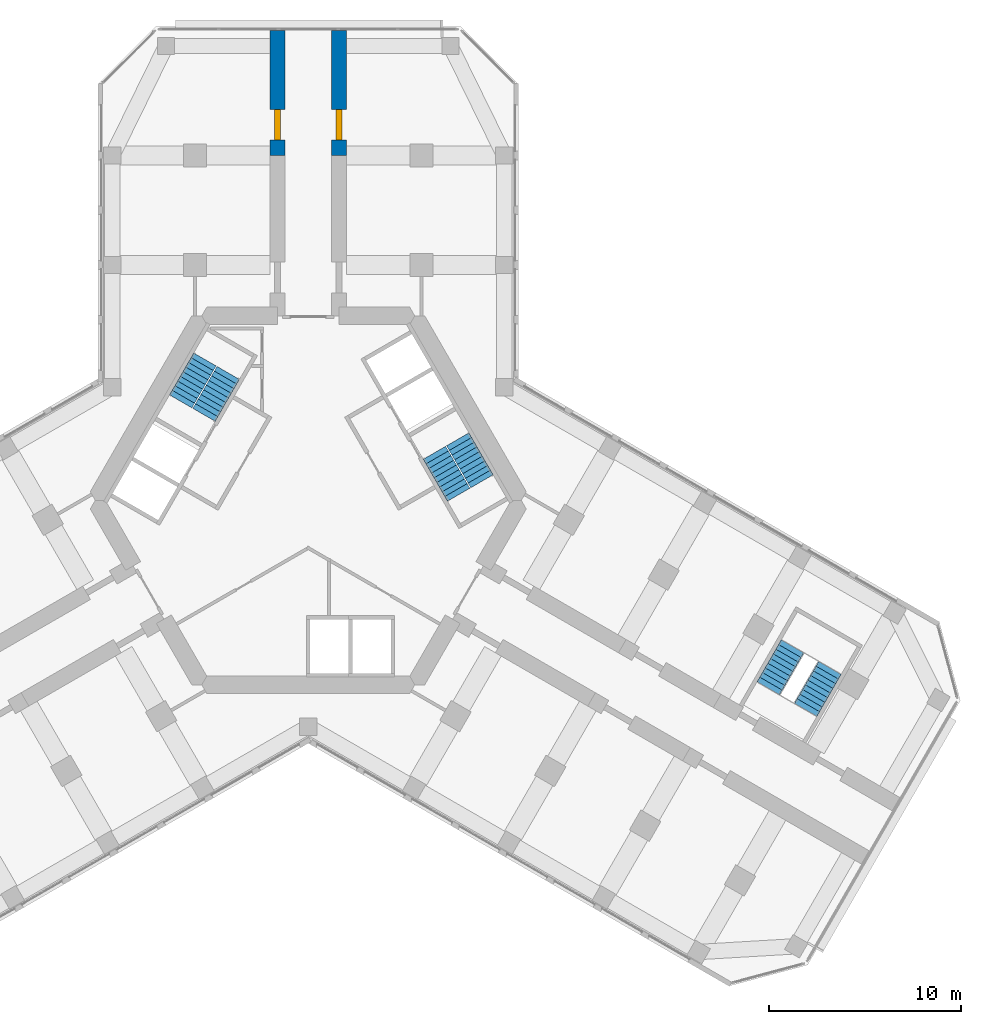
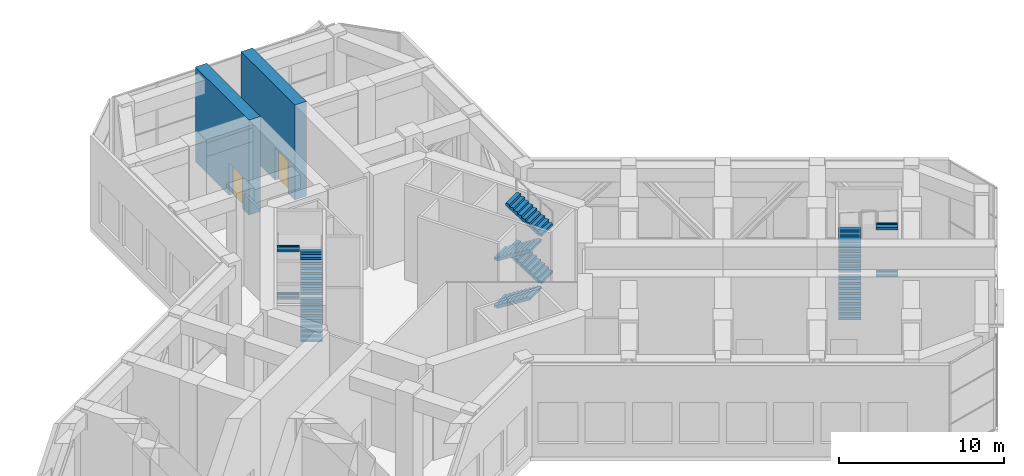
# One storey, part 14 of 15: 12 stair flights, 2 doors, 2 walls, 2 openings, 3 elements without a shape of their own.
"""IFC4 building model written with IfcOpenShell, lengths in metres."""

from ifc_helpers import new_model, si_unit, direction, frame, frame_2d, origin, place, context, subcontext, project, spatial, polyline, rectangle, outline, extrude, material, layer, layer_set, type_object, element, fill, aggregate, save


model = new_model("IFC4")

# Units and contexts
model_context = context("Model", 3, precision=1e-05, world=origin(), true_north=direction((0.0, 1.0)))
body_context = subcontext(model_context, "Body", "Model", "MODEL_VIEW")
ifc_project = project(units=[si_unit("LENGTHUNIT", "METRE"), si_unit("AREAUNIT", "SQUARE_METRE"), si_unit("VOLUMEUNIT", "CUBIC_METRE"), si_unit("PLANEANGLEUNIT", "RADIAN"), si_unit("MASSUNIT", "GRAM", prefix="KILO")], contexts=[model_context])

# Site, building, storey
site_placement = place(None, origin())
site = spatial("IfcSite", under=ifc_project, at=site_placement, CompositionType="ELEMENT")
building_placement = place(site_placement, origin())
building = spatial("IfcBuilding", under=site, at=building_placement, Name="Kosmar Iwan School Tower", CompositionType="ELEMENT")
storey_placement = place(building_placement, frame((0.0, 0.0, 186.800048828125)))
storey = spatial("IfcBuildingStorey", under=building, at=storey_placement, Name="L47", CompositionType="ELEMENT", Elevation=186.800048828125)

# Wall, opening, door
ifc_material_1 = material(Name="Concrete C50/60", Category="concrete")
ifc_layer = layer(ifc_material_1, 0.800048828125)
ifc_layer_set = layer_set([ifc_layer], Name="Corridor buttress wall 800")
wall_type = type_object("IfcWallType", Name="Corridor buttress wall 800", PredefinedType="SHEAR", material=ifc_layer_set)
wall_1_placement = place(storey_placement, frame((-1.60009765625, 17.949951171875, 0.0), z_axis=(0.0, 0.0, 1.0), x_axis=(0.0, 1.0, 0.0)))
wall_1 = element("IfcWall", 1, at=wall_1_placement, inside=storey, type_object=wall_type, Name="Corridor wall AL bay 2", PredefinedType="SHEAR", context=body_context, shape_type="SweptSolid", body=[
    extrude(rectangle(XDim=6.4951171875, YDim=0.800048828125, at=frame_2d((3.24755859375, 0.0))), origin(), (0.0, 0.0, 1.0), 7.0),
])
opening_1_placement = place(wall_1_placement, frame((0.800048828125, 0.0, 0.0)))
opening_1 = element("IfcOpeningElement", 2, at=opening_1_placement, cuts=wall_1, Name="Opening D5", PredefinedType="OPENING", context=body_context, shape_type="SweptSolid", body=[
    extrude(rectangle(XDim=1.60009765625, YDim=2.39990234375, at=frame_2d((0.800048828125, 1.199951171875))), frame((0.0, 0.412109375, 0.0), z_axis=(0.0, -1.0, 0.0), x_axis=(1.0, 0.0, 0.0)), (0.0, 0.0, 1.0), 0.823974609375),
])
ifc_material_2 = material(Name="Steel fire door", Category="steel")
door_type = type_object("IfcDoorType", Name="Plant room door pair 1600x2400", OperationType="DOUBLE_DOOR_SINGLE_SWING", PredefinedType="DOOR", material=ifc_material_2)
door_1_placement = place(opening_1_placement, origin())
door_1 = element("IfcDoor", 3, at=door_1_placement, inside=storey, type_object=door_type, Name="Air handling plant room door L47-AL2", OperationType="DOUBLE_DOOR_SINGLE_SWING", OverallHeight=2.39990234375, OverallWidth=1.60009765625, PredefinedType="DOOR", context=body_context, shape_type="SweptSolid", body=[
    extrude(rectangle(XDim=1.60009765625, YDim=2.39990234375, at=frame_2d((0.800048828125, 1.199951171875))), frame((0.0, 0.14990234375, 0.0), z_axis=(0.0, -1.0, 0.0), x_axis=(1.0, 0.0, 0.0)), (0.0, 0.0, 1.0), 0.300048828125),
])
fill(opening_1, door_1)

wall_2_placement = place(storey_placement, frame((1.60009765625, 17.949951171875, 0.0), z_axis=(0.0, 0.0, 1.0), x_axis=(0.0, 1.0, 0.0)))
wall_2 = element("IfcWall", 4, at=wall_2_placement, inside=storey, type_object=wall_type, Name="Corridor wall AR bay 2", PredefinedType="SHEAR", context=body_context, shape_type="SweptSolid", body=[
    extrude(rectangle(XDim=6.4951171875, YDim=0.800048828125, at=frame_2d((3.24755859375, 0.0))), origin(), (0.0, 0.0, 1.0), 7.0),
])
opening_2_placement = place(wall_2_placement, frame((0.800048828125, 0.0, 0.0)))
opening_2 = element("IfcOpeningElement", 5, at=opening_2_placement, cuts=wall_2, Name="Opening D5", PredefinedType="OPENING", context=body_context, shape_type="SweptSolid", body=[
    extrude(rectangle(XDim=1.60009765625, YDim=2.39990234375, at=frame_2d((0.800048828125, 1.199951171875))), frame((0.0, 0.412109375, 0.0), z_axis=(0.0, -1.0, 0.0), x_axis=(1.0, 0.0, 0.0)), (0.0, 0.0, 1.0), 0.823974609375),
])
door_2_placement = place(opening_2_placement, origin())
door_2 = element("IfcDoor", 6, at=door_2_placement, inside=storey, type_object=door_type, Name="Air handling plant room door L47-AR2", OperationType="DOUBLE_DOOR_SINGLE_SWING", OverallHeight=2.39990234375, OverallWidth=1.60009765625, PredefinedType="DOOR", context=body_context, shape_type="SweptSolid", body=[
    extrude(rectangle(XDim=1.60009765625, YDim=2.39990234375, at=frame_2d((0.800048828125, 1.199951171875))), frame((0.0, 0.14990234375, 0.0), z_axis=(0.0, -1.0, 0.0), x_axis=(1.0, 0.0, 0.0)), (0.0, 0.0, 1.0), 0.300048828125),
])
fill(opening_2, door_2)

# Stair, stair flights
ifc_material_3 = material(Name="Concrete C35/45", Category="concrete")
stair_type_1 = type_object("IfcStairType", Name="Escape stair 3600", PredefinedType="HALF_TURN_STAIR", material=ifc_material_3)
stair_1_placement = place(storey_placement, origin())
stair_1 = element("IfcStair", 7, at=stair_1_placement, inside=storey, type_object=stair_type_1, Name="Stair WS3 L47", PredefinedType="HALF_TURN_STAIR")
ifc_material_4 = material(Name="Concrete C35/45", Category="concrete")
stair_flight_type_1 = type_object("IfcStairFlightType", Name="Escape stair flight 1350", PredefinedType="STRAIGHT", material=ifc_material_4)
stair_flight_1_placement = place(storey_placement, frame((23.94189453125, -9.781494140625, 0.0), z_axis=(0.0, 0.0, 1.0), x_axis=(0.5, 0.866025403784, 0.0)))
stair_flight_1 = element("IfcStairFlight", 8, at=stair_flight_1_placement, type_object=stair_flight_type_1, Name="WS3 flight 1", NumberOfRisers=10, NumberOfTreads=9, PredefinedType="STRAIGHT", RiserHeight=0.175, TreadLength=0.28, context=body_context, shape_type="SweptSolid", body=[
    extrude(outline(polyline([(0.0, 0.0), (0.0, 0.175048828125), (0.280029296875, 0.175048828125), (0.280029296875, 0.35009765625), (0.56005859375, 0.35009765625), (0.56005859375, 0.52490234375), (0.840087890625, 0.52490234375), (0.840087890625, 0.699951171875), (1.1201171875, 0.699951171875), (1.1201171875, 0.875), (1.39990234375, 0.875), (1.39990234375, 1.050048828125), (1.679931640625, 1.050048828125), (1.679931640625, 1.22509765625), (1.9599609375, 1.22509765625), (1.9599609375, 1.39990234375), (2.239990234375, 1.39990234375), (2.239990234375, 1.574951171875), (2.52001953125, 1.574951171875), (2.52001953125, 1.75), (2.52001953125, 1.398193359375), (0.28271484375, 0.0), (0.0, 0.0)])), frame((0.0, 0.675048828125, 0.0), z_axis=(0.0, -1.0, 0.0), x_axis=(1.0, 0.0, 0.0)), (0.0, 0.0, 1.0), 1.35009765625),
])
stair_flight_2_placement = place(storey_placement, frame((27.150390625, -8.72412109375, 1.75), z_axis=(0.0, 0.0, 1.0), x_axis=(-0.5, -0.866025403784, 0.0)))
stair_flight_2 = element("IfcStairFlight", 9, at=stair_flight_2_placement, type_object=stair_flight_type_1, Name="WS3 flight 2", NumberOfRisers=10, NumberOfTreads=9, PredefinedType="STRAIGHT", RiserHeight=0.175, TreadLength=0.28, context=body_context, shape_type="SweptSolid", body=[
    extrude(outline(polyline([(0.0, 0.0), (0.0, 0.175048828125), (0.280029296875, 0.175048828125), (0.280029296875, 0.35009765625), (0.56005859375, 0.35009765625), (0.56005859375, 0.52490234375), (0.840087890625, 0.52490234375), (0.840087890625, 0.699951171875), (1.1201171875, 0.699951171875), (1.1201171875, 0.875), (1.39990234375, 0.875), (1.39990234375, 1.050048828125), (1.679931640625, 1.050048828125), (1.679931640625, 1.22509765625), (1.9599609375, 1.22509765625), (1.9599609375, 1.39990234375), (2.239990234375, 1.39990234375), (2.239990234375, 1.574951171875), (2.52001953125, 1.574951171875), (2.52001953125, 1.75), (2.52001953125, 1.398193359375), (0.28271484375, 0.0), (0.0, 0.0)])), frame((0.0, 0.675048828125, 0.0), z_axis=(0.0, -1.0, 0.0), x_axis=(1.0, 0.0, 0.0)), (0.0, 0.0, 1.0), 1.35009765625),
])
stair_flight_3_placement = place(storey_placement, frame((23.94189453125, -9.781494140625, 3.5), z_axis=(0.0, 0.0, 1.0), x_axis=(0.5, 0.866025403784, 0.0)))
stair_flight_3 = element("IfcStairFlight", 10, at=stair_flight_3_placement, type_object=stair_flight_type_1, Name="WS3 flight 3", NumberOfRisers=10, NumberOfTreads=9, PredefinedType="STRAIGHT", RiserHeight=0.175, TreadLength=0.28, context=body_context, shape_type="SweptSolid", body=[
    extrude(outline(polyline([(0.0, 0.0), (0.0, 0.175048828125), (0.280029296875, 0.175048828125), (0.280029296875, 0.35009765625), (0.56005859375, 0.35009765625), (0.56005859375, 0.52490234375), (0.840087890625, 0.52490234375), (0.840087890625, 0.699951171875), (1.1201171875, 0.699951171875), (1.1201171875, 0.875), (1.39990234375, 0.875), (1.39990234375, 1.050048828125), (1.679931640625, 1.050048828125), (1.679931640625, 1.22509765625), (1.9599609375, 1.22509765625), (1.9599609375, 1.39990234375), (2.239990234375, 1.39990234375), (2.239990234375, 1.574951171875), (2.52001953125, 1.574951171875), (2.52001953125, 1.75), (2.52001953125, 1.398193359375), (0.28271484375, 0.0), (0.0, 0.0)])), frame((0.0, 0.675048828125, 0.0), z_axis=(0.0, -1.0, 0.0), x_axis=(1.0, 0.0, 0.0)), (0.0, 0.0, 1.0), 1.35009765625),
])
stair_flight_4_placement = place(storey_placement, frame((27.150390625, -8.72412109375, 5.25), z_axis=(0.0, 0.0, 1.0), x_axis=(-0.5, -0.866025403784, 0.0)))
stair_flight_4 = element("IfcStairFlight", 11, at=stair_flight_4_placement, type_object=stair_flight_type_1, Name="WS3 flight 4", NumberOfRisers=10, NumberOfTreads=9, PredefinedType="STRAIGHT", RiserHeight=0.175, TreadLength=0.28, context=body_context, shape_type="SweptSolid", body=[
    extrude(outline(polyline([(0.0, 0.0), (0.0, 0.175048828125), (0.280029296875, 0.175048828125), (0.280029296875, 0.35009765625), (0.56005859375, 0.35009765625), (0.56005859375, 0.52490234375), (0.840087890625, 0.52490234375), (0.840087890625, 0.699951171875), (1.1201171875, 0.699951171875), (1.1201171875, 0.875), (1.39990234375, 0.875), (1.39990234375, 1.050048828125), (1.679931640625, 1.050048828125), (1.679931640625, 1.22509765625), (1.9599609375, 1.22509765625), (1.9599609375, 1.39990234375), (2.239990234375, 1.39990234375), (2.239990234375, 1.574951171875), (2.52001953125, 1.574951171875), (2.52001953125, 1.75), (2.52001953125, 1.398193359375), (0.28271484375, 0.0), (0.0, 0.0)])), frame((0.0, 0.675048828125, 0.0), z_axis=(0.0, -1.0, 0.0), x_axis=(1.0, 0.0, 0.0)), (0.0, 0.0, 1.0), 1.35009765625),
])
aggregate(stair_1, [stair_flight_1, stair_flight_2, stair_flight_3, stair_flight_4])

ifc_material_5 = material(Name="Concrete C35/45", Category="concrete")
stair_type_2 = type_object("IfcStairType", Name="Core stair 2750", PredefinedType="HALF_TURN_STAIR", material=ifc_material_5)
stair_2_placement = place(storey_placement, origin())
stair_2 = element("IfcStair", 12, at=stair_2_placement, inside=storey, type_object=stair_type_2, Name="Stair ST2 L47", PredefinedType="HALF_TURN_STAIR")
ifc_material_6 = material(Name="Concrete C35/45", Category="concrete")
stair_flight_type_2 = type_object("IfcStairFlightType", Name="Stair flight 1350", PredefinedType="STRAIGHT", material=ifc_material_6)
stair_flight_5_placement = place(storey_placement, frame((-5.42724609375, 4.44970703125, 0.0), z_axis=(0.0, 0.0, 1.0), x_axis=(0.5, 0.866025403784, 0.0)))
stair_flight_5 = element("IfcStairFlight", 13, at=stair_flight_5_placement, type_object=stair_flight_type_2, Name="ST2 flight 1", NumberOfRisers=10, NumberOfTreads=9, PredefinedType="STRAIGHT", RiserHeight=0.175, TreadLength=0.28, context=body_context, shape_type="SweptSolid", body=[
    extrude(outline(polyline([(0.0, 0.0), (0.0, 0.175048828125), (0.280029296875, 0.175048828125), (0.280029296875, 0.35009765625), (0.56005859375, 0.35009765625), (0.56005859375, 0.52490234375), (0.840087890625, 0.52490234375), (0.840087890625, 0.699951171875), (1.1201171875, 0.699951171875), (1.1201171875, 0.875), (1.39990234375, 0.875), (1.39990234375, 1.050048828125), (1.679931640625, 1.050048828125), (1.679931640625, 1.22509765625), (1.9599609375, 1.22509765625), (1.9599609375, 1.39990234375), (2.239990234375, 1.39990234375), (2.239990234375, 1.574951171875), (2.52001953125, 1.574951171875), (2.52001953125, 1.75), (2.52001953125, 1.398193359375), (0.28271484375, 0.0), (0.0, 0.0)])), frame((0.0, 0.675048828125, 0.0), z_axis=(0.0, -1.0, 0.0), x_axis=(1.0, 0.0, 0.0)), (0.0, 0.0, 1.0), 1.35009765625),
])
stair_flight_6_placement = place(storey_placement, frame((-5.379638671875, 7.33203125, 1.75), z_axis=(0.0, 0.0, 1.0), x_axis=(-0.5, -0.866025403784, 0.0)))
stair_flight_6 = element("IfcStairFlight", 14, at=stair_flight_6_placement, type_object=stair_flight_type_2, Name="ST2 flight 2", NumberOfRisers=10, NumberOfTreads=9, PredefinedType="STRAIGHT", RiserHeight=0.175, TreadLength=0.28, context=body_context, shape_type="SweptSolid", body=[
    extrude(outline(polyline([(0.0, 0.0), (0.0, 0.175048828125), (0.280029296875, 0.175048828125), (0.280029296875, 0.35009765625), (0.56005859375, 0.35009765625), (0.56005859375, 0.52490234375), (0.840087890625, 0.52490234375), (0.840087890625, 0.699951171875), (1.1201171875, 0.699951171875), (1.1201171875, 0.875), (1.39990234375, 0.875), (1.39990234375, 1.050048828125), (1.679931640625, 1.050048828125), (1.679931640625, 1.22509765625), (1.9599609375, 1.22509765625), (1.9599609375, 1.39990234375), (2.239990234375, 1.39990234375), (2.239990234375, 1.574951171875), (2.52001953125, 1.574951171875), (2.52001953125, 1.75), (2.52001953125, 1.398193359375), (0.28271484375, 0.0), (0.0, 0.0)])), frame((0.0, 0.675048828125, 0.0), z_axis=(0.0, -1.0, 0.0), x_axis=(1.0, 0.0, 0.0)), (0.0, 0.0, 1.0), 1.35009765625),
])
stair_flight_7_placement = place(storey_placement, frame((-5.42724609375, 4.44970703125, 3.5), z_axis=(0.0, 0.0, 1.0), x_axis=(0.5, 0.866025403784, 0.0)))
stair_flight_7 = element("IfcStairFlight", 15, at=stair_flight_7_placement, type_object=stair_flight_type_2, Name="ST2 flight 3", NumberOfRisers=10, NumberOfTreads=9, PredefinedType="STRAIGHT", RiserHeight=0.175, TreadLength=0.28, context=body_context, shape_type="SweptSolid", body=[
    extrude(outline(polyline([(0.0, 0.0), (0.0, 0.175048828125), (0.280029296875, 0.175048828125), (0.280029296875, 0.35009765625), (0.56005859375, 0.35009765625), (0.56005859375, 0.52490234375), (0.840087890625, 0.52490234375), (0.840087890625, 0.699951171875), (1.1201171875, 0.699951171875), (1.1201171875, 0.875), (1.39990234375, 0.875), (1.39990234375, 1.050048828125), (1.679931640625, 1.050048828125), (1.679931640625, 1.22509765625), (1.9599609375, 1.22509765625), (1.9599609375, 1.39990234375), (2.239990234375, 1.39990234375), (2.239990234375, 1.574951171875), (2.52001953125, 1.574951171875), (2.52001953125, 1.75), (2.52001953125, 1.398193359375), (0.28271484375, 0.0), (0.0, 0.0)])), frame((0.0, 0.675048828125, 0.0), z_axis=(0.0, -1.0, 0.0), x_axis=(1.0, 0.0, 0.0)), (0.0, 0.0, 1.0), 1.35009765625),
])
stair_flight_8_placement = place(storey_placement, frame((-5.379638671875, 7.33203125, 5.25), z_axis=(0.0, 0.0, 1.0), x_axis=(-0.5, -0.866025403784, 0.0)))
stair_flight_8 = element("IfcStairFlight", 16, at=stair_flight_8_placement, type_object=stair_flight_type_2, Name="ST2 flight 4", NumberOfRisers=10, NumberOfTreads=9, PredefinedType="STRAIGHT", RiserHeight=0.175, TreadLength=0.28, context=body_context, shape_type="SweptSolid", body=[
    extrude(outline(polyline([(0.0, 0.0), (0.0, 0.175048828125), (0.280029296875, 0.175048828125), (0.280029296875, 0.35009765625), (0.56005859375, 0.35009765625), (0.56005859375, 0.52490234375), (0.840087890625, 0.52490234375), (0.840087890625, 0.699951171875), (1.1201171875, 0.699951171875), (1.1201171875, 0.875), (1.39990234375, 0.875), (1.39990234375, 1.050048828125), (1.679931640625, 1.050048828125), (1.679931640625, 1.22509765625), (1.9599609375, 1.22509765625), (1.9599609375, 1.39990234375), (2.239990234375, 1.39990234375), (2.239990234375, 1.574951171875), (2.52001953125, 1.574951171875), (2.52001953125, 1.75), (2.52001953125, 1.398193359375), (0.28271484375, 0.0), (0.0, 0.0)])), frame((0.0, 0.675048828125, 0.0), z_axis=(0.0, -1.0, 0.0), x_axis=(1.0, 0.0, 0.0)), (0.0, 0.0, 1.0), 1.35009765625),
])
aggregate(stair_2, [stair_flight_5, stair_flight_6, stair_flight_7, stair_flight_8])

stair_3_placement = place(storey_placement, origin())
stair_3 = element("IfcStair", 17, at=stair_3_placement, inside=storey, type_object=stair_type_2, Name="Stair ST1 L47", PredefinedType="HALF_TURN_STAIR")
stair_flight_9_placement = place(storey_placement, frame((6.567138671875, 2.475341796875, 0.0), z_axis=(0.0, 0.0, 1.0), x_axis=(0.5, -0.866025403784, 0.0)))
stair_flight_9 = element("IfcStairFlight", 18, at=stair_flight_9_placement, type_object=stair_flight_type_2, Name="ST1 flight 1", NumberOfRisers=10, NumberOfTreads=9, PredefinedType="STRAIGHT", RiserHeight=0.175, TreadLength=0.28, context=body_context, shape_type="SweptSolid", body=[
    extrude(outline(polyline([(0.0, 0.0), (0.0, 0.175048828125), (0.280029296875, 0.175048828125), (0.280029296875, 0.35009765625), (0.56005859375, 0.35009765625), (0.56005859375, 0.52490234375), (0.840087890625, 0.52490234375), (0.840087890625, 0.699951171875), (1.1201171875, 0.699951171875), (1.1201171875, 0.875), (1.39990234375, 0.875), (1.39990234375, 1.050048828125), (1.679931640625, 1.050048828125), (1.679931640625, 1.22509765625), (1.9599609375, 1.22509765625), (1.9599609375, 1.39990234375), (2.239990234375, 1.39990234375), (2.239990234375, 1.574951171875), (2.52001953125, 1.574951171875), (2.52001953125, 1.75), (2.52001953125, 1.398193359375), (0.28271484375, 0.0), (0.0, 0.0)])), frame((0.0, 0.675048828125, 0.0), z_axis=(0.0, -1.0, 0.0), x_axis=(1.0, 0.0, 0.0)), (0.0, 0.0, 1.0), 1.35009765625),
])
stair_flight_10_placement = place(storey_placement, frame((9.03955078125, 0.992919921875, 1.75), z_axis=(0.0, 0.0, 1.0), x_axis=(-0.5, 0.866025403784, 0.0)))
stair_flight_10 = element("IfcStairFlight", 19, at=stair_flight_10_placement, type_object=stair_flight_type_2, Name="ST1 flight 2", NumberOfRisers=10, NumberOfTreads=9, PredefinedType="STRAIGHT", RiserHeight=0.175, TreadLength=0.28, context=body_context, shape_type="SweptSolid", body=[
    extrude(outline(polyline([(0.0, 0.0), (0.0, 0.175048828125), (0.280029296875, 0.175048828125), (0.280029296875, 0.35009765625), (0.56005859375, 0.35009765625), (0.56005859375, 0.52490234375), (0.840087890625, 0.52490234375), (0.840087890625, 0.699951171875), (1.1201171875, 0.699951171875), (1.1201171875, 0.875), (1.39990234375, 0.875), (1.39990234375, 1.050048828125), (1.679931640625, 1.050048828125), (1.679931640625, 1.22509765625), (1.9599609375, 1.22509765625), (1.9599609375, 1.39990234375), (2.239990234375, 1.39990234375), (2.239990234375, 1.574951171875), (2.52001953125, 1.574951171875), (2.52001953125, 1.75), (2.52001953125, 1.398193359375), (0.28271484375, 0.0), (0.0, 0.0)])), frame((0.0, 0.675048828125, 0.0), z_axis=(0.0, -1.0, 0.0), x_axis=(1.0, 0.0, 0.0)), (0.0, 0.0, 1.0), 1.35009765625),
])
stair_flight_11_placement = place(storey_placement, frame((6.567138671875, 2.475341796875, 3.5), z_axis=(0.0, 0.0, 1.0), x_axis=(0.5, -0.866025403784, 0.0)))
stair_flight_11 = element("IfcStairFlight", 20, at=stair_flight_11_placement, type_object=stair_flight_type_2, Name="ST1 flight 3", NumberOfRisers=10, NumberOfTreads=9, PredefinedType="STRAIGHT", RiserHeight=0.175, TreadLength=0.28, context=body_context, shape_type="SweptSolid", body=[
    extrude(outline(polyline([(0.0, 0.0), (0.0, 0.175048828125), (0.280029296875, 0.175048828125), (0.280029296875, 0.35009765625), (0.56005859375, 0.35009765625), (0.56005859375, 0.52490234375), (0.840087890625, 0.52490234375), (0.840087890625, 0.699951171875), (1.1201171875, 0.699951171875), (1.1201171875, 0.875), (1.39990234375, 0.875), (1.39990234375, 1.050048828125), (1.679931640625, 1.050048828125), (1.679931640625, 1.22509765625), (1.9599609375, 1.22509765625), (1.9599609375, 1.39990234375), (2.239990234375, 1.39990234375), (2.239990234375, 1.574951171875), (2.52001953125, 1.574951171875), (2.52001953125, 1.75), (2.52001953125, 1.398193359375), (0.28271484375, 0.0), (0.0, 0.0)])), frame((0.0, 0.675048828125, 0.0), z_axis=(0.0, -1.0, 0.0), x_axis=(1.0, 0.0, 0.0)), (0.0, 0.0, 1.0), 1.35009765625),
])
stair_flight_12_placement = place(storey_placement, frame((9.03955078125, 0.992919921875, 5.25), z_axis=(0.0, 0.0, 1.0), x_axis=(-0.5, 0.866025403784, 0.0)))
stair_flight_12 = element("IfcStairFlight", 21, at=stair_flight_12_placement, type_object=stair_flight_type_2, Name="ST1 flight 4", NumberOfRisers=10, NumberOfTreads=9, PredefinedType="STRAIGHT", RiserHeight=0.175, TreadLength=0.28, context=body_context, shape_type="SweptSolid", body=[
    extrude(outline(polyline([(0.0, 0.0), (0.0, 0.175048828125), (0.280029296875, 0.175048828125), (0.280029296875, 0.35009765625), (0.56005859375, 0.35009765625), (0.56005859375, 0.52490234375), (0.840087890625, 0.52490234375), (0.840087890625, 0.699951171875), (1.1201171875, 0.699951171875), (1.1201171875, 0.875), (1.39990234375, 0.875), (1.39990234375, 1.050048828125), (1.679931640625, 1.050048828125), (1.679931640625, 1.22509765625), (1.9599609375, 1.22509765625), (1.9599609375, 1.39990234375), (2.239990234375, 1.39990234375), (2.239990234375, 1.574951171875), (2.52001953125, 1.574951171875), (2.52001953125, 1.75), (2.52001953125, 1.398193359375), (0.28271484375, 0.0), (0.0, 0.0)])), frame((0.0, 0.675048828125, 0.0), z_axis=(0.0, -1.0, 0.0), x_axis=(1.0, 0.0, 0.0)), (0.0, 0.0, 1.0), 1.35009765625),
])
aggregate(stair_3, [stair_flight_9, stair_flight_10, stair_flight_11, stair_flight_12])

save(model, "model.ifc")
